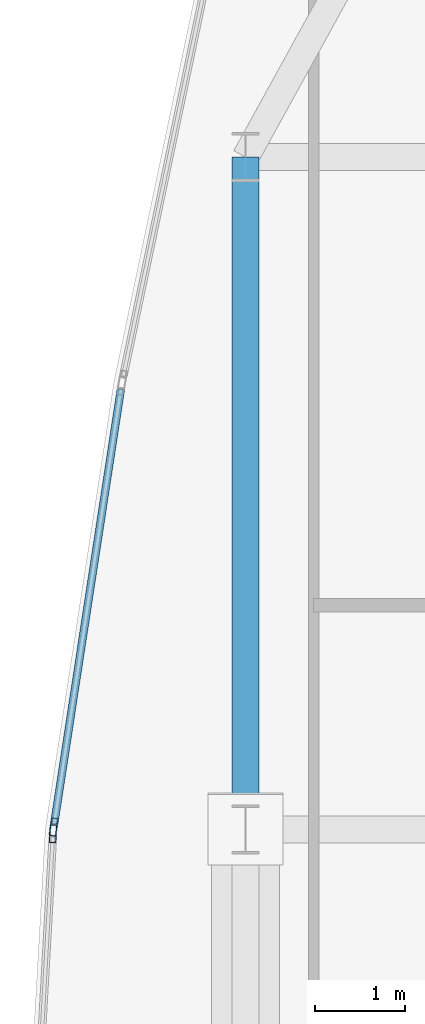
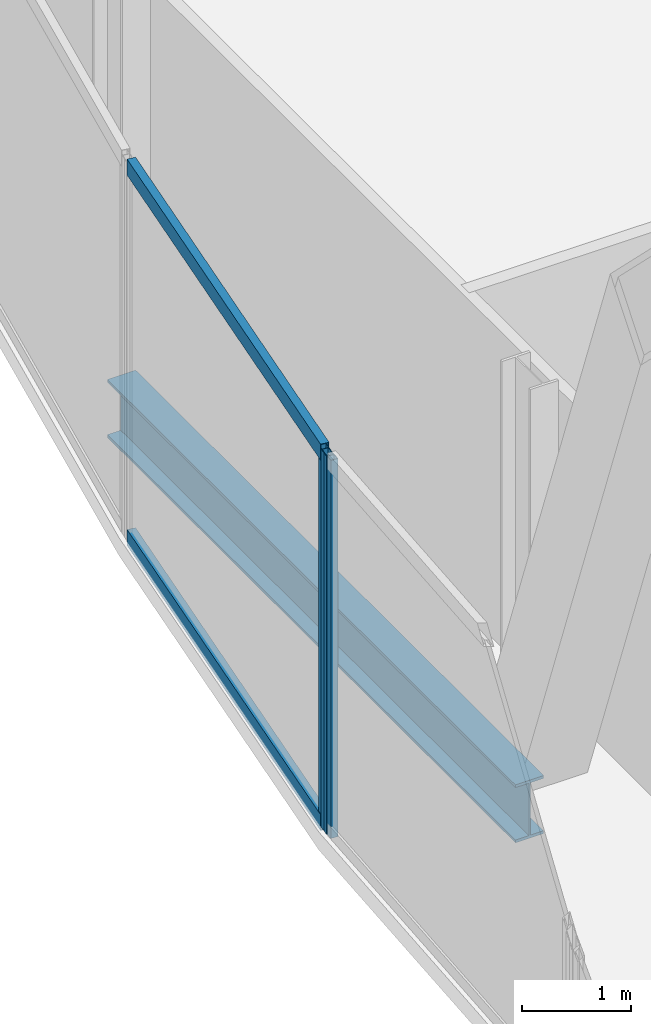
# One storey, part 12 of 32: 4 members, 1 beam, 2 elements without a shape of their own.
"""IFC4 building model written with IfcOpenShell, lengths in metres."""

import ifcopenshell
import ifcopenshell.guid

model = None  # the IFC model being written
_history = None  # IfcOwnerHistory: only IFC2X3 demands one
_inside = {}  # id of a spatial element -> (the spatial element, [elements in it])
_under = {}  # id of a project, library or spatial element -> (it, [spatial elements below it])
_declared = {}  # id of a project -> (the project, [libraries it declares])
_typed = {}  # id of a type object -> (the type object, [elements of that type])
_made_of = {}  # id of a material, layer set ... -> (it, [elements and type objects made of it])


def new_model(schema):
    """Start an empty IFC model of exactly this schema.

    Asked for "IFC4X3", IfcOpenShell would pick the latest addendum, in which some entities
    have other attributes; the version numbers below select the first issue.
    IFC2X3 requires an IfcOwnerHistory on every rooted entity: one is made here for all.
    """
    global model, _history
    if schema == "IFC4X3":
        model = ifcopenshell.file(schema_version=(4, 3, 0, 0))
    else:
        model = ifcopenshell.file(schema=schema)
    _inside.clear()
    _under.clear()
    _declared.clear()
    _typed.clear()
    _made_of.clear()
    _history = None
    if model.schema == "IFC2X3":
        org = make("IfcOrganization", Name="unknown")
        user = make(
            "IfcPersonAndOrganization",
            ThePerson=make("IfcPerson", FamilyName="unknown"),
            TheOrganization=org,
        )
        app = make(
            "IfcApplication",
            ApplicationDeveloper=org,
            Version="unknown",
            ApplicationFullName="unknown",
            ApplicationIdentifier="unknown",
        )
        _history = make(
            "IfcOwnerHistory",
            OwningUser=user,
            OwningApplication=app,
            ChangeAction="ADDED",
            CreationDate=0,
        )
    return model


def make(cls, **values):
    """One entity of the class cls with the attributes given. An attribute that is None is left unset."""
    return model.create_entity(
        cls, **{name: value for name, value in values.items() if value is not None}
    )


def rooted(cls, **values):
    """An entity with a GlobalId (a new one), such as an element, a storey or a relation."""
    return make(cls, GlobalId=ifcopenshell.guid.new(), OwnerHistory=_history, **values)


def si_unit(unit_type, name, prefix=None):
    """IfcSIUnit, for example si_unit("LENGTHUNIT", "METRE", prefix="MILLI")."""
    return make("IfcSIUnit", UnitType=unit_type, Prefix=prefix, Name=name)


def assignment(units):
    """IfcUnitAssignment: the units of a project."""
    return None if units is None else make("IfcUnitAssignment", Units=units)


def point(xyz):
    """IfcCartesianPoint."""
    return None if xyz is None else make("IfcCartesianPoint", Coordinates=xyz)


def direction(xyz):
    """IfcDirection."""
    return None if xyz is None else make("IfcDirection", DirectionRatios=xyz)


def frame(location, z_axis=None, x_axis=None):
    """IfcAxis2Placement3D, a coordinate frame: its origin and axes. An axis left out is left unset."""
    return make(
        "IfcAxis2Placement3D",
        Location=point(location),
        Axis=direction(z_axis),
        RefDirection=direction(x_axis),
    )


def frame_2d(location, x_axis=None):
    """IfcAxis2Placement2D, a coordinate frame in the plane: its origin and x axis."""
    return make(
        "IfcAxis2Placement2D", Location=point(location), RefDirection=direction(x_axis)
    )


def origin():
    """The frame at (0, 0, 0) with its axes left unset."""
    return frame((0.0, 0.0, 0.0))


def origin_2d():
    """The frame at (0, 0) in the plane with its x axis left unset."""
    return frame_2d((0.0, 0.0))


def place(relative_to, where):
    """IfcLocalPlacement: puts the frame where relative to a parent placement (None: the world)."""
    return make(
        "IfcLocalPlacement", PlacementRelTo=relative_to, RelativePlacement=where
    )


def context(
    kind, dimensions, precision=None, world=None, true_north=None, identifier=None
):
    """IfcGeometricRepresentationContext, for example the 3D "Model" context."""
    return make(
        "IfcGeometricRepresentationContext",
        ContextIdentifier=identifier,
        ContextType=kind,
        CoordinateSpaceDimension=dimensions,
        Precision=precision,
        WorldCoordinateSystem=world,
        TrueNorth=true_north,
    )


def subcontext(parent, identifier, kind, view, scale=None):
    """IfcGeometricRepresentationSubContext, for example "Body" below "Model"."""
    return make(
        "IfcGeometricRepresentationSubContext",
        ContextIdentifier=identifier,
        ContextType=kind,
        ParentContext=parent,
        TargetScale=scale,
        TargetView=view,
    )


def project(units=None, contexts=None):
    """IfcProject with its units and contexts."""
    return rooted(
        "IfcProject",
        Name="project",
        RepresentationContexts=contexts,
        UnitsInContext=assignment(units),
    )


def spatial(cls, under=None, at=None, **own):
    """A site, building, storey or space (cls), placed at a placement, below another one or the project."""
    s = rooted(cls, ObjectPlacement=at, **own)
    if under is not None:
        _under.setdefault(under.id(), (under, []))[1].append(s)
    return s


def profile(cls, at=None, kind="AREA", **sizes):
    """A parametric profile (cls). Its sizes go by their IFC names, for example OverallWidth=200.0."""
    return make(cls, ProfileType=kind, Position=at, **sizes)


def hollow_rectangle(**sizes):
    """IfcRectangleHollowProfileDef."""
    return profile("IfcRectangleHollowProfileDef", **sizes)


def i_section(**sizes):
    """IfcIShapeProfileDef."""
    return profile("IfcIShapeProfileDef", **sizes)


def extrude(swept, where, along, depth):
    """IfcExtrudedAreaSolid: the profile swept, set in the frame where, extruded along a direction by depth."""
    return make(
        "IfcExtrudedAreaSolid",
        SweptArea=swept,
        Position=where,
        ExtrudedDirection=direction(along),
        Depth=depth,
    )


def shape(context_of_items, identifier, shape_type, items):
    """IfcShapeRepresentation: the items that make up one representation, for example the "Body"."""
    return make(
        "IfcShapeRepresentation",
        ContextOfItems=context_of_items,
        RepresentationIdentifier=identifier,
        RepresentationType=shape_type,
        Items=items,
    )


def material(Name=None, Category=None):
    """IfcMaterial."""
    return make("IfcMaterial", Name=Name, Category=Category)


def material_profile(
    of_material, cross_section, Name=None, Category=None, Priority=None
):
    """IfcMaterialProfile: a cross section and its material."""
    return make(
        "IfcMaterialProfile",
        Name=Name,
        Material=of_material,
        Profile=cross_section,
        Priority=Priority,
        Category=Category,
    )


def profile_set(profiles, Name=None, composite=None):
    """IfcMaterialProfileSet."""
    return make(
        "IfcMaterialProfileSet",
        Name=Name,
        MaterialProfiles=profiles,
        CompositeProfile=composite,
    )


def made_of(thing, what):
    """Note that an element or type object is made of a material, layer set ...; save() writes the relation."""
    if what is not None:
        _made_of.setdefault(what.id(), (what, []))[1].append(thing)
    return thing


def type_object(cls, material=None, **own):
    """A type object (cls), such as IfcWallType, which elements share."""
    return made_of(rooted(cls, **own), material)


def element(
    cls,
    number,
    at=None,
    inside=None,
    cuts=None,
    type_object=None,
    material=None,
    context=None,
    identifier="Body",
    shape_type=None,
    held_by="IfcProductDefinitionShape",
    body=None,
    shapes=None,
    **own,
):
    """One element of the class cls, such as IfcWall. Its Tag is "e" and its number.

    at: its placement. inside: the storey or other place that contains it. cuts: it is an
    opening in that element (IfcRelVoidsElement). A single representation is given by context,
    identifier, shape_type and body (its items); several are given by shapes. held_by: the class
    of the entity that holds the representations. save() writes the other relations.
    """
    e = rooted(cls, Tag="e%d" % number, ObjectPlacement=at, **own)
    if body is not None:
        shapes = [shape(context, identifier, shape_type, body)]
    if shapes is not None:
        e.Representation = make(held_by, Representations=shapes)
    if inside is not None:
        _inside.setdefault(inside.id(), (inside, []))[1].append(e)
    if cuts is not None:
        rooted(
            "IfcRelVoidsElement", RelatingBuildingElement=cuts, RelatedOpeningElement=e
        )
    if type_object is not None:
        _typed.setdefault(type_object.id(), (type_object, []))[1].append(e)
    return made_of(e, material)


def aggregate(whole, parts):
    """IfcRelAggregates: a whole, such as a stair, and the parts it consists of."""
    return rooted("IfcRelAggregates", RelatingObject=whole, RelatedObjects=parts)


def save(model, path):
    """Write the relations noted so far, then the file.

    IfcRelAggregates (storeys below a building ...), IfcRelContainedInSpatialStructure (elements
    in a storey), IfcRelDefinesByType, IfcRelAssociatesMaterial and IfcRelDeclares: one each for
    every whole, place, type object, material and project.
    """
    for whole, parts in _under.values():
        aggregate(whole, parts)
    for where, things in _inside.values():
        rooted(
            "IfcRelContainedInSpatialStructure",
            RelatedElements=things,
            RelatingStructure=where,
        )
    for kind, things in _typed.values():
        rooted("IfcRelDefinesByType", RelatedObjects=things, RelatingType=kind)
    for what, things in _made_of.values():
        rooted("IfcRelAssociatesMaterial", RelatedObjects=things, RelatingMaterial=what)
    for by, libraries in _declared.values():
        rooted("IfcRelDeclares", RelatingContext=by, RelatedDefinitions=libraries)
    model.write(path)


model = new_model("IFC4")

# Units and contexts
model_context = context("Model", 3, precision=1e-05, world=origin(), true_north=direction((0.0, 1.0)))
body_context = subcontext(model_context, "Body", "Model", "MODEL_VIEW")
ifc_project = project(units=[si_unit("LENGTHUNIT", "METRE"), si_unit("AREAUNIT", "SQUARE_METRE"), si_unit("VOLUMEUNIT", "CUBIC_METRE"), si_unit("PLANEANGLEUNIT", "RADIAN"), si_unit("MASSUNIT", "GRAM", prefix="KILO")], contexts=[model_context])

# Site, building, storey
site_placement = place(None, origin())
site = spatial("IfcSite", under=ifc_project, at=site_placement, CompositionType="ELEMENT")
building_placement = place(site_placement, origin())
building = spatial("IfcBuilding", under=site, at=building_placement, Name="Khoronbel Lancet Exchange", CompositionType="ELEMENT")
storey_placement = place(building_placement, frame((0.0, 0.0, 106.60009765625)))
storey = spatial("IfcBuildingStorey", under=building, at=storey_placement, Name="L25", CompositionType="ELEMENT", Elevation=106.60009765625)

# Beam
ifc_material_1 = material(Name="Steel S355", Category="steel")
ifc_material_profile_1 = material_profile(ifc_material_1, i_section(OverallWidth=0.300048828125, OverallDepth=0.64990234375, WebThickness=0.01611328125, FlangeThickness=0.031005859375, at=origin_2d()), Name="HEB 650")
ifc_profile_set_1 = profile_set([ifc_material_profile_1], Name="Steel S355")
beam_type = type_object("IfcBeamType", Name="BM-BSP1", PredefinedType="SPANDREL", material=ifc_profile_set_1)
beam_placement = place(storey_placement, frame((3.27001953125, 43.199951171875, -0.525146484375), z_axis=(0.0, -1.0, 0.0), x_axis=(1.0, 0.0, 0.0)))
element("IfcBeam", 1, at=beam_placement, inside=storey, type_object=beam_type, Name="Level L25 perimeter spandrel beam SP17", PredefinedType="SPANDREL", context=body_context, shape_type="SweptSolid", body=[
    extrude(i_section(OverallWidth=0.300048828125, OverallDepth=0.64990234375, WebThickness=0.01611328125, FlangeThickness=0.031005859375, at=origin_2d()), origin(), (0.0, 0.0, 1.0), 7.5),
])

# Curtain wall, member
ifc_material_2 = material(Name="Low-E Solar Control Insulating Glass", Category="glass")
curtain_wall_type = type_object("IfcCurtainWallType", Name="CW-4", PredefinedType="NOTDEFINED", material=ifc_material_2)
curtain_wall_1_placement = place(storey_placement, origin())
curtain_wall_1 = element("IfcCurtainWall", 2, at=curtain_wall_1_placement, inside=storey, type_object=curtain_wall_type, Name="Unitised curtain wall CW-L25-E07", PredefinedType="NOTDEFINED")
ifc_material_3 = material(Name="Bronze-Anodised Aluminium 6063-T6", Category="aluminium")
ifc_material_profile_2 = material_profile(ifc_material_3, hollow_rectangle(XDim=0.074951171875, YDim=0.199951171875, WallThickness=0.0048828125, at=origin_2d()), Name="ALU MULLION 75x200")
ifc_profile_set_2 = profile_set([ifc_material_profile_2], Name="Bronze-Anodised Aluminium 6063-T6")
member_type_1 = type_object("IfcMemberType", Name="MEM-CWM2", PredefinedType="MULLION", material=ifc_profile_set_2)
member_1_placement = place(storey_placement, frame((1.1220703125, 35.653076171875, 0.0), z_axis=(0.0, 0.0, 1.0), x_axis=(-0.998426435144, 0.056077211104, 0.0)))
member_1 = element("IfcMember", 3, at=member_1_placement, type_object=member_type_1, Name="CW4 mullion 2", PredefinedType="MULLION", context=body_context, shape_type="SweptSolid", body=[
    extrude(hollow_rectangle(XDim=0.074951171875, YDim=0.199951171875, WallThickness=0.0048828125, at=origin_2d()), origin(), (0.0, 0.0, 1.0), 4.239990234375),
])
aggregate(curtain_wall_1, [member_1])

# Curtain wall, members
curtain_wall_2_placement = place(storey_placement, origin())
curtain_wall_2 = element("IfcCurtainWall", 4, at=curtain_wall_2_placement, inside=storey, type_object=curtain_wall_type, Name="Unitised curtain wall CW-L25-E08", PredefinedType="NOTDEFINED")
member_2_placement = place(storey_placement, frame((1.1298828125, 35.727783203125, 0.0), z_axis=(0.0, 0.0, 1.0), x_axis=(-0.988428154064, 0.151689763181, 0.0)))
member_2 = element("IfcMember", 5, at=member_2_placement, type_object=member_type_1, Name="CW4 mullion 1", PredefinedType="MULLION", context=body_context, shape_type="SweptSolid", body=[
    extrude(hollow_rectangle(XDim=0.074951171875, YDim=0.199951171875, WallThickness=0.0048828125, at=origin_2d()), origin(), (0.0, 0.0, 1.0), 4.239990234375),
])
ifc_material_profile_3 = material_profile(ifc_material_3, hollow_rectangle(XDim=0.0849609375, YDim=0.179931640625, WallThickness=0.0048828125, at=origin_2d()), Name="ALU TRANSOM 85x180")
ifc_profile_set_3 = profile_set([ifc_material_profile_3], Name="Bronze-Anodised Aluminium 6063-T6")
member_type_2 = type_object("IfcMemberType", Name="MEM-CWT1", PredefinedType="USERDEFINED", material=ifc_profile_set_3)
member_3_placement = place(storey_placement, frame((1.135498046875, 35.7646484375, 0.04248046875), z_axis=(0.15170537435, 0.98842575816, 0.0), x_axis=(-0.98842575816, 0.15170537435, 0.0)))
member_3 = element("IfcMember", 6, at=member_3_placement, type_object=member_type_2, Name="CW4 transom 1.1", ObjectType="TRANSOM", PredefinedType="USERDEFINED", context=body_context, shape_type="SweptSolid", body=[
    extrude(hollow_rectangle(XDim=0.0849609375, YDim=0.179931640625, WallThickness=0.0048828125, at=origin_2d()), origin(), (0.0, 0.0, 1.0), 4.90185546875),
])
member_4_placement = place(storey_placement, frame((1.135498046875, 35.7646484375, 4.197509765625), z_axis=(0.15170537435, 0.98842575816, 0.0), x_axis=(-0.98842575816, 0.15170537435, 0.0)))
member_4 = element("IfcMember", 7, at=member_4_placement, type_object=member_type_2, Name="CW4 transom 1.2", ObjectType="TRANSOM", PredefinedType="USERDEFINED", context=body_context, shape_type="SweptSolid", body=[
    extrude(hollow_rectangle(XDim=0.0849609375, YDim=0.179931640625, WallThickness=0.0048828125, at=origin_2d()), origin(), (0.0, 0.0, 1.0), 4.90185546875),
])
aggregate(curtain_wall_2, [member_2, member_3, member_4])

save(model, "model.ifc")
